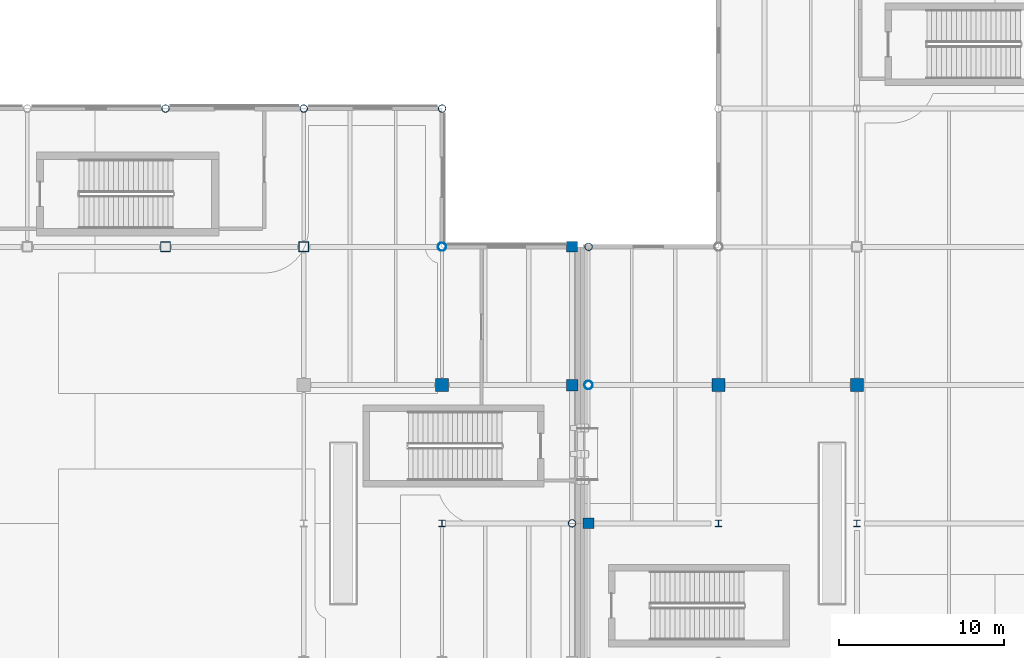
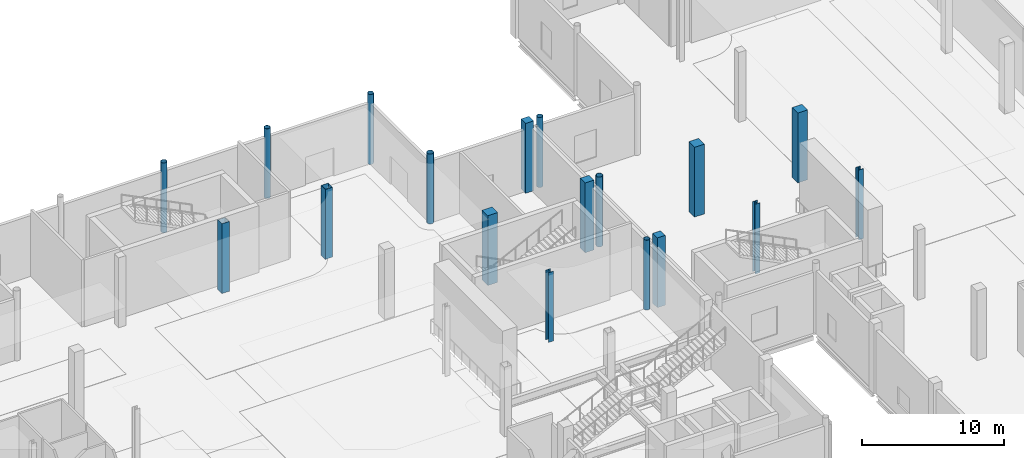
# One storey, part 8 of 85: 18 columns.
"""IFC4 building model written with IfcOpenShell, lengths in metres."""

from ifc_helpers import new_model, si_unit, direction, frame, origin, origin_2d, place, context, subcontext, project, spatial, rectangle, hollow_rectangle, hollow_circle, i_section, extrude, material, material_profile, profile_set, type_object, element, save


model = new_model("IFC4")

# Units and contexts
model_context = context("Model", 3, precision=1e-05, world=origin(), true_north=direction((0.0, 1.0)))
body_context = subcontext(model_context, "Body", "Model", "MODEL_VIEW")
ifc_project = project(units=[si_unit("LENGTHUNIT", "METRE"), si_unit("AREAUNIT", "SQUARE_METRE"), si_unit("VOLUMEUNIT", "CUBIC_METRE"), si_unit("PLANEANGLEUNIT", "RADIAN"), si_unit("MASSUNIT", "GRAM", prefix="KILO"), si_unit("THERMODYNAMICTEMPERATUREUNIT", "KELVIN")], contexts=[model_context])

# Site, building, storey
site_placement = place(None, origin())
site = spatial("IfcSite", under=ifc_project, at=site_placement, CompositionType="ELEMENT")
building_placement = place(site_placement, origin())
building = spatial("IfcBuilding", under=site, at=building_placement, Name="Lustrewick Department Store", CompositionType="ELEMENT")
storey_placement = place(building_placement, origin())
storey = spatial("IfcBuildingStorey", under=building, at=storey_placement, Name="L01", CompositionType="ELEMENT", Elevation=0.0)

# Columns
ifc_material_1 = material(Name="Structural steel Q355C", Category="steel")
ifc_material_profile_1 = material_profile(ifc_material_1, hollow_rectangle(XDim=0.60009765625, YDim=0.60009765625, WallThickness=0.02392578125, at=origin_2d()), Name="BOX 600x600x24")
ifc_profile_set_1 = profile_set([ifc_material_profile_1], Name="Structural steel Q355C")
column_type_1 = type_object("IfcColumnType", Name="C04", PredefinedType="COLUMN", material=ifc_profile_set_1)
for number, where, z_axis, x_axis, name in (
    (1, (33.60009765625, 84.0, 0.0), (0.0, 0.0, 1.0), (1.0, 0.0, 0.0), "L01 V1 Column C04"),
    (2, (42.0, 84.0, 0.0), (0.0, 0.0, 1.0), (1.0, 0.0, 0.0), "L01 V1 Column C04"),
):
    element("IfcColumn", number, at=place(storey_placement, frame(where, z_axis=z_axis, x_axis=x_axis)), inside=storey, type_object=column_type_1, Name=name, PredefinedType="COLUMN", context=body_context, shape_type="SweptSolid", body=[
        extrude(hollow_rectangle(XDim=0.60009765625, YDim=0.60009765625, WallThickness=0.02392578125, at=origin_2d()), origin(), (0.0, 0.0, 1.0), 6.0),
    ])
ifc_material_2 = material(Name="Structural steel Q355B", Category="steel")
ifc_material_profile_2 = material_profile(ifc_material_2, i_section(OverallWidth=0.39990234375, OverallDepth=0.39990234375, WebThickness=0.012939453125, FlangeThickness=0.02099609375, FilletRadius=0.02197265625, at=origin_2d()), Name="HW 400x400x13x21")
ifc_profile_set_2 = profile_set([ifc_material_profile_2], Name="Structural steel Q355B")
column_type_2 = type_object("IfcColumnType", Name="C11", PredefinedType="COLUMN", material=ifc_profile_set_2)
for number, where, z_axis, x_axis, name in (
    (3, (50.39990234375, 67.199951171875, 0.0), (0.0, 0.0, 1.0), (1.0, 0.0, 0.0), "L01 V1 Column C11"),
    (4, (67.199951171875, 67.199951171875, 0.0), (0.0, 0.0, 1.0), (1.0, 0.0, 0.0), "L01 V2 Column C11"),
    (5, (75.60009765625, 67.199951171875, 0.0), (0.0, 0.0, 1.0), (1.0, 0.0, 0.0), "L01 V2 Column C11"),
):
    element("IfcColumn", number, at=place(storey_placement, frame(where, z_axis=z_axis, x_axis=x_axis)), inside=storey, type_object=column_type_2, Name=name, PredefinedType="COLUMN", context=body_context, shape_type="SweptSolid", body=[
        extrude(i_section(OverallWidth=0.39990234375, OverallDepth=0.39990234375, WebThickness=0.012939453125, FlangeThickness=0.02099609375, FilletRadius=0.02197265625, at=origin_2d()), origin(), (0.0, 0.0, 1.0), 6.0),
    ])
ifc_material_3 = material(Name="Concrete C40", Category="concrete")
ifc_material_profile_3 = material_profile(ifc_material_3, rectangle(XDim=0.800048828125, YDim=0.800048828125, at=origin_2d()), Name="RC 800x800")
ifc_profile_set_3 = profile_set([ifc_material_profile_3], Name="Concrete C40")
column_type_3 = type_object("IfcColumnType", Name="C19", PredefinedType="COLUMN", material=ifc_profile_set_3)
for number, where, z_axis, x_axis, name in (
    (6, (50.39990234375, 75.60009765625, 0.0), (0.0, 0.0, 1.0), (1.0, 0.0, 0.0), "L01 V1 Column C19"),
    (7, (67.199951171875, 75.60009765625, 0.0), (0.0, 0.0, 1.0), (1.0, 0.0, 0.0), "L01 V2 Column C19"),
    (8, (75.60009765625, 75.60009765625, 0.0), (0.0, 0.0, 1.0), (1.0, 0.0, 0.0), "L01 V2 Column C19"),
):
    element("IfcColumn", number, at=place(storey_placement, frame(where, z_axis=z_axis, x_axis=x_axis)), inside=storey, type_object=column_type_3, Name=name, PredefinedType="COLUMN", context=body_context, shape_type="SweptSolid", body=[
        extrude(rectangle(XDim=0.800048828125, YDim=0.800048828125, at=origin_2d()), origin(), (0.0, 0.0, 1.0), 6.0),
    ])
ifc_material_profile_4 = material_profile(ifc_material_1, hollow_circle(Radius=0.25390625, WallThickness=0.01611328125, at=origin_2d()), Name="CHS 508x16")
ifc_profile_set_4 = profile_set([ifc_material_profile_4], Name="Structural steel Q355C")
column_type_4 = type_object("IfcColumnType", Name="CE01", PredefinedType="COLUMN", material=ifc_profile_set_4)
for number, where, z_axis, x_axis, name in (
    (9, (50.39990234375, 84.0, 0.0), (0.0, 0.0, 1.0), (1.0, 0.0, 0.0), "L01 V1 Column CE01"),
    (10, (59.300048828125, 75.60009765625, 0.0), (0.0, 0.0, 1.0), (1.0, 0.0, 0.0), "L01 V2 Column CE01"),
):
    element("IfcColumn", number, at=place(storey_placement, frame(where, z_axis=z_axis, x_axis=x_axis)), inside=storey, type_object=column_type_4, Name=name, PredefinedType="COLUMN", context=body_context, shape_type="SweptSolid", body=[
        extrude(hollow_circle(Radius=0.25390625, WallThickness=0.01611328125, at=origin_2d()), origin(), (0.0, 0.0, 1.0), 6.0),
    ])
ifc_material_profile_5 = material_profile(ifc_material_1, hollow_circle(Radius=0.228515625, WallThickness=0.01611328125, at=origin_2d()), Name="CHS 457x16")
ifc_profile_set_5 = profile_set([ifc_material_profile_5], Name="Structural steel Q355C")
column_type_5 = type_object("IfcColumnType", Name="CE02", PredefinedType="COLUMN", material=ifc_profile_set_5)
for number, where, z_axis, x_axis, name in (
    (11, (33.60009765625, 92.39990234375, 0.0), (0.0, 0.0, 1.0), (1.0, 0.0, 0.0), "L01 V1 Column CE02"),
    (12, (42.0, 92.39990234375, 0.0), (0.0, 0.0, 1.0), (1.0, 0.0, 0.0), "L01 V1 Column CE02"),
    (13, (50.39990234375, 92.39990234375, 0.0), (0.0, 0.0, 1.0), (1.0, 0.0, 0.0), "L01 V1 Column CE02"),
    (14, (58.300048828125, 67.199951171875, 0.0), (0.0, 0.0, 1.0), (1.0, 0.0, 0.0), "L01 V1 Column CE02"),
    (15, (59.300048828125, 84.0, 0.0), (0.0, 0.0, 1.0), (1.0, 0.0, 0.0), "L01 V2 Column CE02"),
):
    element("IfcColumn", number, at=place(storey_placement, frame(where, z_axis=z_axis, x_axis=x_axis)), inside=storey, type_object=column_type_5, Name=name, PredefinedType="COLUMN", context=body_context, shape_type="SweptSolid", body=[
        extrude(hollow_circle(Radius=0.228515625, WallThickness=0.01611328125, at=origin_2d()), origin(), (0.0, 0.0, 1.0), 6.0),
    ])
ifc_material_profile_6 = material_profile(ifc_material_3, rectangle(XDim=0.699951171875, YDim=0.699951171875, at=origin_2d()), Name="RC 700x700")
ifc_profile_set_6 = profile_set([ifc_material_profile_6], Name="Concrete C40")
column_type_6 = type_object("IfcColumnType", Name="CE06", PredefinedType="COLUMN", material=ifc_profile_set_6)
column_placement = place(storey_placement, frame((58.300048828125, 75.60009765625, 0.0), z_axis=(0.0, 0.0, 1.0), x_axis=(1.0, 0.0, 0.0)))
element("IfcColumn", 16, at=column_placement, inside=storey, type_object=column_type_6, Name="L01 V1 Column CE06", PredefinedType="COLUMN", context=body_context, shape_type="SweptSolid", body=[
    extrude(rectangle(XDim=0.699951171875, YDim=0.699951171875, at=origin_2d()), origin(), (0.0, 0.0, 1.0), 6.0),
])
ifc_material_profile_7 = material_profile(ifc_material_3, rectangle(XDim=0.64990234375, YDim=0.64990234375, at=origin_2d()), Name="RC 650x650")
ifc_profile_set_7 = profile_set([ifc_material_profile_7], Name="Concrete C40")
column_type_7 = type_object("IfcColumnType", Name="CE07", PredefinedType="COLUMN", material=ifc_profile_set_7)
for number, where, z_axis, x_axis, name in (
    (17, (58.300048828125, 84.0, 0.0), (0.0, 0.0, 1.0), (1.0, 0.0, 0.0), "L01 V1 Column CE07"),
    (18, (59.300048828125, 67.199951171875, 0.0), (0.0, 0.0, 1.0), (1.0, 0.0, 0.0), "L01 V2 Column CE07"),
):
    element("IfcColumn", number, at=place(storey_placement, frame(where, z_axis=z_axis, x_axis=x_axis)), inside=storey, type_object=column_type_7, Name=name, PredefinedType="COLUMN", context=body_context, shape_type="SweptSolid", body=[
        extrude(rectangle(XDim=0.64990234375, YDim=0.64990234375, at=origin_2d()), origin(), (0.0, 0.0, 1.0), 6.0),
    ])

save(model, "model.ifc")
